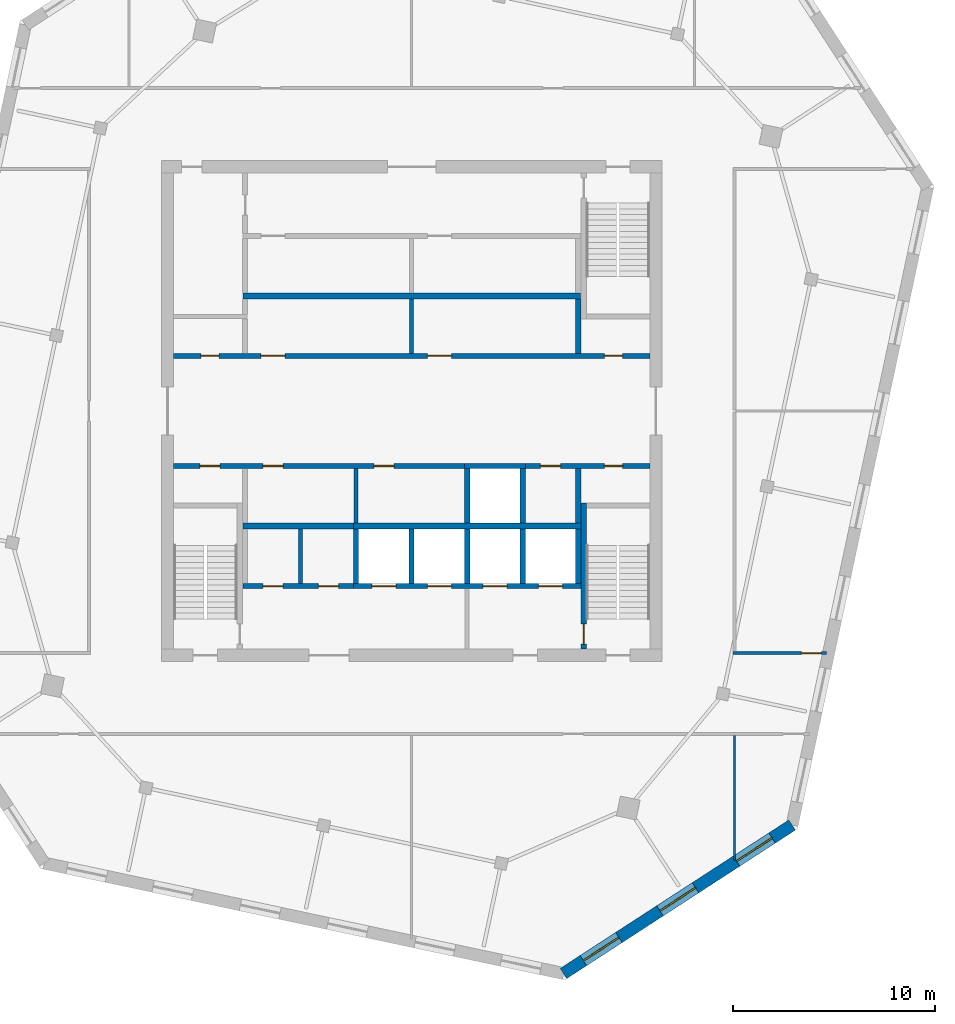
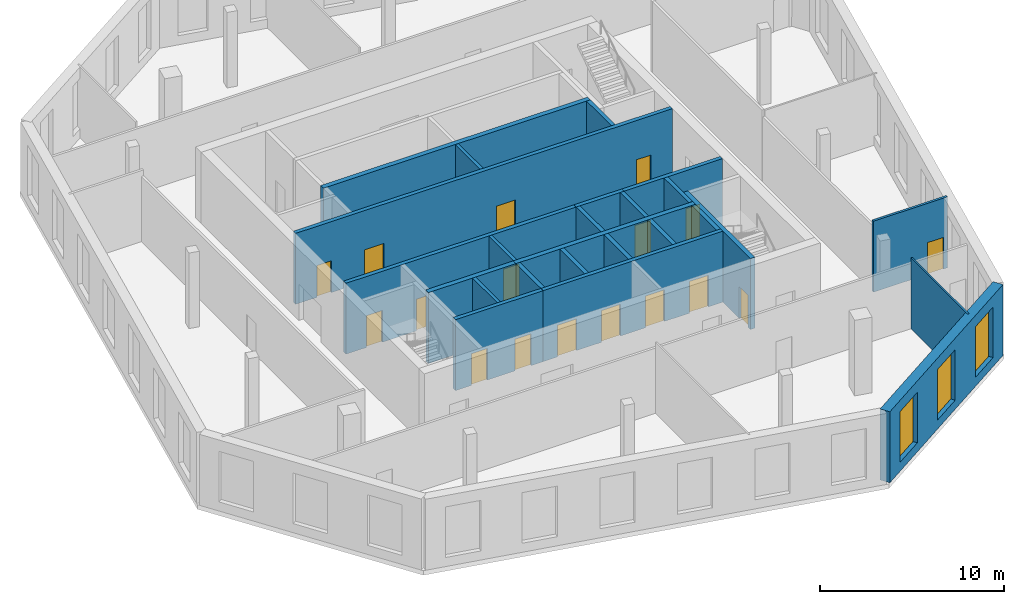
# One storey, part 3 of 6: 25 walls, 17 doors, 3 windows, 20 openings.
"""IFC4 building model written with IfcOpenShell, lengths in metres."""

from ifc_helpers import new_model, si_unit, direction, frame, frame_2d, origin, place, context, subcontext, project, spatial, rectangle, extrude, material, layer, layer_set, type_object, element, fill, save


model = new_model("IFC4")

# Units and contexts
model_context = context("Model", 3, precision=1e-05, world=origin(), true_north=direction((0.0, 1.0)))
body_context = subcontext(model_context, "Body", "Model", "MODEL_VIEW")
ifc_project = project(units=[si_unit("LENGTHUNIT", "METRE"), si_unit("AREAUNIT", "SQUARE_METRE"), si_unit("VOLUMEUNIT", "CUBIC_METRE"), si_unit("PLANEANGLEUNIT", "RADIAN"), si_unit("MASSUNIT", "GRAM", prefix="KILO")], contexts=[model_context])

# Site, building, storey
site_placement = place(None, origin())
site = spatial("IfcSite", under=ifc_project, at=site_placement, CompositionType="ELEMENT")
building_placement = place(site_placement, origin())
building = spatial("IfcBuilding", under=site, at=building_placement, Name="Dilmun Exchange Tower", CompositionType="ELEMENT")
storey_placement = place(building_placement, frame((0.0, 0.0, 358.10009765625)))
storey = spatial("IfcBuildingStorey", under=building, at=storey_placement, Name="Crown L84", CompositionType="ELEMENT", Elevation=358.10009765625)

# Walls
ifc_material_1 = material(Name="Concrete C40/50", Category="concrete")
ifc_layer_1 = layer(ifc_material_1, 0.199951171875)
ifc_layer_set_1 = layer_set([ifc_layer_1], Name="Concrete C40/50")
wall_type_1 = type_object("IfcWallType", Name="Core partition wall 200", PredefinedType="PARTITIONING", material=ifc_layer_set_1)
for number, where, z_axis, x_axis, name in (
    (1, (-5.5, -8.544921875, 0.0), (0.0, 0.0, 1.0), (0.0, 1.0, 0.0), "Crown L84 core partition wall 04"),
    (2, (-2.75, -5.544921875, 0.0), (0.0, 0.0, 1.0), (0.0, 1.0, 0.0), "Crown L84 core partition wall 07"),
    (3, (0.0, 2.85498046875, 0.0), (0.0, 0.0, 1.0), (0.0, 1.0, 0.0), "Crown L84 core partition wall 13"),
):
    element("IfcWall", number, at=place(storey_placement, frame(where, z_axis=z_axis, x_axis=x_axis)), inside=storey, type_object=wall_type_1, Name=name, PredefinedType="PARTITIONING", context=body_context, shape_type="SweptSolid", body=[
        extrude(rectangle(XDim=2.68994140625, YDim=0.199951171875, at=frame_2d((1.344970703125, 0.0))), origin(), (0.0, 0.0, 1.0), 4.699951171875),
    ])

# Wall, openings, doors
ifc_layer_2 = layer(ifc_material_1, 0.25)
ifc_layer_set_2 = layer_set([ifc_layer_2], Name="Concrete C40/50")
wall_type_2 = type_object("IfcWallType", Name="Core partition wall 250", PredefinedType="PARTITIONING", material=ifc_layer_set_2)
wall_1_placement = place(storey_placement, frame((-8.3701171875, -8.675048828125, 0.0), z_axis=(0.0, 0.0, 1.0), x_axis=(1.0, 0.0, 0.0)))
wall_1 = element("IfcWall", 4, at=wall_1_placement, inside=storey, type_object=wall_type_2, Name="Crown L84 core partition wall 02", PredefinedType="PARTITIONING", context=body_context, shape_type="SweptSolid", body=[
    extrude(rectangle(XDim=5.490234375, YDim=0.25, at=frame_2d((2.7451171875, 0.0))), origin(), (0.0, 0.0, 1.0), 4.699951171875),
])
opening_1_placement = place(wall_1_placement, frame((0.9951171875, 0.0, 0.0)))
opening_1 = element("IfcOpeningElement", 5, at=opening_1_placement, cuts=wall_1, Name="Opening CD4", PredefinedType="OPENING", context=body_context, shape_type="SweptSolid", body=[
    extrude(rectangle(XDim=1.0, YDim=2.10009765625, at=frame_2d((0.5, 1.050048828125))), frame((0.0, 0.135009765625, 0.0), z_axis=(0.0, -1.0, 0.0), x_axis=(1.0, 0.0, 0.0)), (0.0, 0.0, 1.0), 0.27001953125),
])
opening_2_placement = place(wall_1_placement, frame((3.7451171875, 0.0, 0.0)))
opening_2 = element("IfcOpeningElement", 6, at=opening_2_placement, cuts=wall_1, Name="Opening CD4", PredefinedType="OPENING", context=body_context, shape_type="SweptSolid", body=[
    extrude(rectangle(XDim=1.0, YDim=2.10009765625, at=frame_2d((0.5, 1.050048828125))), frame((0.0, 0.135009765625, 0.0), z_axis=(0.0, -1.0, 0.0), x_axis=(1.0, 0.0, 0.0)), (0.0, 0.0, 1.0), 0.27001953125),
])
ifc_material_2 = material(Name="Fire-rated steel door set", Category="steel")
door_type_1 = type_object("IfcDoorType", Name="Core room door 1000x2100", OperationType="SINGLE_SWING_LEFT", PredefinedType="DOOR", material=ifc_material_2)
door_1_placement = place(opening_1_placement, origin())
door_1 = element("IfcDoor", 7, at=door_1_placement, inside=storey, type_object=door_type_1, Name="Crown L84 door Male WC", OperationType="SINGLE_SWING_LEFT", OverallHeight=2.10009765625, OverallWidth=1.0, PredefinedType="DOOR", context=body_context, shape_type="SweptSolid", body=[
    extrude(rectangle(XDim=1.0, YDim=2.10009765625, at=frame_2d((0.5, 1.050048828125))), frame((0.0, 0.02490234375, 0.0), z_axis=(0.0, -1.0, 0.0), x_axis=(1.0, 0.0, 0.0)), (0.0, 0.0, 1.0), 0.050048828125),
])
fill(opening_1, door_1)
door_2_placement = place(opening_2_placement, origin())
door_2 = element("IfcDoor", 8, at=door_2_placement, inside=storey, type_object=door_type_1, Name="Crown L84 door Female WC", OperationType="SINGLE_SWING_LEFT", OverallHeight=2.10009765625, OverallWidth=1.0, PredefinedType="DOOR", context=body_context, shape_type="SweptSolid", body=[
    extrude(rectangle(XDim=1.0, YDim=2.10009765625, at=frame_2d((0.5, 1.050048828125))), frame((0.0, 0.02490234375, 0.0), z_axis=(0.0, -1.0, 0.0), x_axis=(1.0, 0.0, 0.0)), (0.0, 0.0, 1.0), 0.050048828125),
])
fill(opening_2, door_2)

# Wall
wall_2_placement = place(storey_placement, frame((8.25, -5.544921875, 0.0), z_axis=(0.0, 0.0, 1.0), x_axis=(0.0, 1.0, 0.0)))
element("IfcWall", 9, at=wall_2_placement, inside=storey, type_object=wall_type_2, Name="Crown L84 core partition wall 08", PredefinedType="PARTITIONING", context=body_context, shape_type="SweptSolid", body=[
    extrude(rectangle(XDim=2.68994140625, YDim=0.25, at=frame_2d((1.344970703125, 0.0))), origin(), (0.0, 0.0, 1.0), 4.699951171875),
])

# Wall, openings, doors
wall_3_placement = place(storey_placement, frame((-11.794921875, -2.72509765625, 0.0), z_axis=(0.0, 0.0, 1.0), x_axis=(1.0, 0.0, 0.0)))
wall_3 = element("IfcWall", 10, at=wall_3_placement, inside=storey, type_object=wall_type_2, Name="Crown L84 core partition wall 09", PredefinedType="PARTITIONING", context=body_context, shape_type="SweptSolid", body=[
    extrude(rectangle(XDim=14.4150390625, YDim=0.25, at=frame_2d((7.20751953125, 0.0))), origin(), (0.0, 0.0, 1.0), 4.699951171875),
])
opening_3_placement = place(wall_3_placement, frame((1.294921875, 0.0, 0.0)))
opening_3 = element("IfcOpeningElement", 11, at=opening_3_placement, cuts=wall_3, Name="Opening CD4", PredefinedType="OPENING", context=body_context, shape_type="SweptSolid", body=[
    extrude(rectangle(XDim=1.0, YDim=2.10009765625, at=frame_2d((0.5, 1.050048828125))), frame((0.0, 0.135009765625, 0.0), z_axis=(0.0, -1.0, 0.0), x_axis=(1.0, 0.0, 0.0)), (0.0, 0.0, 1.0), 0.27001953125),
])
opening_4_placement = place(wall_3_placement, frame((4.419921875, 0.0, 0.0)))
opening_4 = element("IfcOpeningElement", 12, at=opening_4_placement, cuts=wall_3, Name="Opening CD4", PredefinedType="OPENING", context=body_context, shape_type="SweptSolid", body=[
    extrude(rectangle(XDim=1.0, YDim=2.10009765625, at=frame_2d((0.5, 1.050048828125))), frame((0.0, 0.135009765625, 0.0), z_axis=(0.0, -1.0, 0.0), x_axis=(1.0, 0.0, 0.0)), (0.0, 0.0, 1.0), 0.27001953125),
])
opening_5_placement = place(wall_3_placement, frame((9.919921875, 0.0, 0.0)))
opening_5 = element("IfcOpeningElement", 13, at=opening_5_placement, cuts=wall_3, Name="Opening CD4", PredefinedType="OPENING", context=body_context, shape_type="SweptSolid", body=[
    extrude(rectangle(XDim=1.0, YDim=2.10009765625, at=frame_2d((0.5, 1.050048828125))), frame((0.0, 0.135009765625, 0.0), z_axis=(0.0, -1.0, 0.0), x_axis=(1.0, 0.0, 0.0)), (0.0, 0.0, 1.0), 0.27001953125),
])
door_3_placement = place(opening_3_placement, origin())
door_3 = element("IfcDoor", 14, at=door_3_placement, inside=storey, type_object=door_type_1, Name="Crown L84 door Accessible WC", OperationType="SINGLE_SWING_LEFT", OverallHeight=2.10009765625, OverallWidth=1.0, PredefinedType="DOOR", context=body_context, shape_type="SweptSolid", body=[
    extrude(rectangle(XDim=1.0, YDim=2.10009765625, at=frame_2d((0.5, 1.050048828125))), frame((0.0, 0.02490234375, 0.0), z_axis=(0.0, -1.0, 0.0), x_axis=(1.0, 0.0, 0.0)), (0.0, 0.0, 1.0), 0.050048828125),
])
fill(opening_3, door_3)
door_4_placement = place(opening_4_placement, origin())
door_4 = element("IfcDoor", 15, at=door_4_placement, inside=storey, type_object=door_type_1, Name="Crown L84 door Switch room", OperationType="SINGLE_SWING_LEFT", OverallHeight=2.10009765625, OverallWidth=1.0, PredefinedType="DOOR", context=body_context, shape_type="SweptSolid", body=[
    extrude(rectangle(XDim=1.0, YDim=2.10009765625, at=frame_2d((0.5, 1.050048828125))), frame((0.0, 0.02490234375, 0.0), z_axis=(0.0, -1.0, 0.0), x_axis=(1.0, 0.0, 0.0)), (0.0, 0.0, 1.0), 0.050048828125),
])
fill(opening_4, door_4)
door_5_placement = place(opening_5_placement, origin())
door_5 = element("IfcDoor", 16, at=door_5_placement, inside=storey, type_object=door_type_1, Name="Crown L84 door Print and mail room", OperationType="SINGLE_SWING_LEFT", OverallHeight=2.10009765625, OverallWidth=1.0, PredefinedType="DOOR", context=body_context, shape_type="SweptSolid", body=[
    extrude(rectangle(XDim=1.0, YDim=2.10009765625, at=frame_2d((0.5, 1.050048828125))), frame((0.0, 0.02490234375, 0.0), z_axis=(0.0, -1.0, 0.0), x_axis=(1.0, 0.0, 0.0)), (0.0, 0.0, 1.0), 0.050048828125),
])
fill(opening_5, door_5)

wall_4_placement = place(storey_placement, frame((5.6298828125, -2.72509765625, 0.0), z_axis=(0.0, 0.0, 1.0), x_axis=(1.0, 0.0, 0.0)))
wall_4 = element("IfcWall", 17, at=wall_4_placement, inside=storey, type_object=wall_type_2, Name="Crown L84 core partition wall 10", PredefinedType="PARTITIONING", context=body_context, shape_type="SweptSolid", body=[
    extrude(rectangle(XDim=6.1650390625, YDim=0.25, at=frame_2d((3.08251953125, 0.0))), origin(), (0.0, 0.0, 1.0), 4.699951171875),
])
opening_6_placement = place(wall_4_placement, frame((0.7451171875, 0.0, 0.0)))
opening_6 = element("IfcOpeningElement", 18, at=opening_6_placement, cuts=wall_4, Name="Opening CD4", PredefinedType="OPENING", context=body_context, shape_type="SweptSolid", body=[
    extrude(rectangle(XDim=1.0, YDim=2.10009765625, at=frame_2d((0.5, 1.050048828125))), frame((0.0, 0.135009765625, 0.0), z_axis=(0.0, -1.0, 0.0), x_axis=(1.0, 0.0, 0.0)), (0.0, 0.0, 1.0), 0.27001953125),
])
opening_7_placement = place(wall_4_placement, frame((3.919921875, 0.0, 0.0)))
opening_7 = element("IfcOpeningElement", 19, at=opening_7_placement, cuts=wall_4, Name="Opening CD6", PredefinedType="OPENING", context=body_context, shape_type="SweptSolid", body=[
    extrude(rectangle(XDim=0.89990234375, YDim=2.10009765625, at=frame_2d((0.449951171875, 1.050048828125))), frame((0.0, 0.135009765625, 0.0), z_axis=(0.0, -1.0, 0.0), x_axis=(1.0, 0.0, 0.0)), (0.0, 0.0, 1.0), 0.27001953125),
])
door_6_placement = place(opening_6_placement, origin())
door_6 = element("IfcDoor", 20, at=door_6_placement, inside=storey, type_object=door_type_1, Name="Crown L84 door Cleaners' store", OperationType="SINGLE_SWING_LEFT", OverallHeight=2.10009765625, OverallWidth=1.0, PredefinedType="DOOR", context=body_context, shape_type="SweptSolid", body=[
    extrude(rectangle(XDim=1.0, YDim=2.10009765625, at=frame_2d((0.5, 1.050048828125))), frame((0.0, 0.02490234375, 0.0), z_axis=(0.0, -1.0, 0.0), x_axis=(1.0, 0.0, 0.0)), (0.0, 0.0, 1.0), 0.050048828125),
])
fill(opening_6, door_6)
door_type_2 = type_object("IfcDoorType", Name="Core room door 900x2100", OperationType="SINGLE_SWING_LEFT", PredefinedType="DOOR", material=ifc_material_2)
door_7_placement = place(opening_7_placement, origin())
door_7 = element("IfcDoor", 21, at=door_7_placement, inside=storey, type_object=door_type_2, Name="Crown L84 door Comms riser", OperationType="SINGLE_SWING_LEFT", OverallHeight=2.10009765625, OverallWidth=0.89990234375, PredefinedType="DOOR", context=body_context, shape_type="SweptSolid", body=[
    extrude(rectangle(XDim=0.89990234375, YDim=2.10009765625, at=frame_2d((0.449951171875, 1.050048828125))), frame((0.0, 0.02490234375, 0.0), z_axis=(0.0, -1.0, 0.0), x_axis=(1.0, 0.0, 0.0)), (0.0, 0.0, 1.0), 0.050048828125),
])
fill(opening_7, door_7)

wall_5_placement = place(storey_placement, frame((-11.794921875, 2.72509765625, 0.0), z_axis=(0.0, 0.0, 1.0), x_axis=(1.0, 0.0, 0.0)))
wall_5 = element("IfcWall", 22, at=wall_5_placement, inside=storey, type_object=wall_type_2, Name="Crown L84 core partition wall 11", PredefinedType="PARTITIONING", context=body_context, shape_type="SweptSolid", body=[
    extrude(rectangle(XDim=23.58984375, YDim=0.25, at=frame_2d((11.794921875, 0.0))), origin(), (0.0, 0.0, 1.0), 4.699951171875),
])
opening_8_placement = place(wall_5_placement, frame((21.344970703125, 0.0, 0.0)))
opening_8 = element("IfcOpeningElement", 23, at=opening_8_placement, cuts=wall_5, Name="Opening CD6", PredefinedType="OPENING", context=body_context, shape_type="SweptSolid", body=[
    extrude(rectangle(XDim=0.89990234375, YDim=2.10009765625, at=frame_2d((0.449951171875, 1.050048828125))), frame((0.0, 0.135009765625, 0.0), z_axis=(0.0, -1.0, 0.0), x_axis=(1.0, 0.0, 0.0)), (0.0, 0.0, 1.0), 0.27001953125),
])
opening_9_placement = place(wall_5_placement, frame((1.344970703125, 0.0, 0.0)))
opening_9 = element("IfcOpeningElement", 24, at=opening_9_placement, cuts=wall_5, Name="Opening CD6", PredefinedType="OPENING", context=body_context, shape_type="SweptSolid", body=[
    extrude(rectangle(XDim=0.89990234375, YDim=2.10009765625, at=frame_2d((0.449951171875, 1.050048828125))), frame((0.0, 0.135009765625, 0.0), z_axis=(0.0, -1.0, 0.0), x_axis=(1.0, 0.0, 0.0)), (0.0, 0.0, 1.0), 0.27001953125),
])
opening_10_placement = place(wall_5_placement, frame((4.320068359375, 0.0, 0.0)))
opening_10 = element("IfcOpeningElement", 25, at=opening_10_placement, cuts=wall_5, Name="Opening CD3", PredefinedType="OPENING", context=body_context, shape_type="SweptSolid", body=[
    extrude(rectangle(XDim=1.199951171875, YDim=2.10009765625, at=frame_2d((0.60009765625, 1.050048828125))), frame((0.0, 0.135009765625, 0.0), z_axis=(0.0, -1.0, 0.0), x_axis=(1.0, 0.0, 0.0)), (0.0, 0.0, 1.0), 0.27001953125),
])
opening_11_placement = place(wall_5_placement, frame((12.570068359375, 0.0, 0.0)))
opening_11 = element("IfcOpeningElement", 26, at=opening_11_placement, cuts=wall_5, Name="Opening CD3", PredefinedType="OPENING", context=body_context, shape_type="SweptSolid", body=[
    extrude(rectangle(XDim=1.199951171875, YDim=2.10009765625, at=frame_2d((0.60009765625, 1.050048828125))), frame((0.0, 0.135009765625, 0.0), z_axis=(0.0, -1.0, 0.0), x_axis=(1.0, 0.0, 0.0)), (0.0, 0.0, 1.0), 0.27001953125),
])
door_8_placement = place(opening_8_placement, origin())
door_8 = element("IfcDoor", 27, at=door_8_placement, inside=storey, type_object=door_type_2, Name="Crown L84 door Electrical riser", OperationType="SINGLE_SWING_LEFT", OverallHeight=2.10009765625, OverallWidth=0.89990234375, PredefinedType="DOOR", context=body_context, shape_type="SweptSolid", body=[
    extrude(rectangle(XDim=0.89990234375, YDim=2.10009765625, at=frame_2d((0.449951171875, 1.050048828125))), frame((0.0, 0.02490234375, 0.0), z_axis=(0.0, -1.0, 0.0), x_axis=(1.0, 0.0, 0.0)), (0.0, 0.0, 1.0), 0.050048828125),
])
fill(opening_8, door_8)
door_9_placement = place(opening_9_placement, origin())
door_9 = element("IfcDoor", 28, at=door_9_placement, inside=storey, type_object=door_type_2, Name="Crown L84 door Plumbing riser", OperationType="SINGLE_SWING_LEFT", OverallHeight=2.10009765625, OverallWidth=0.89990234375, PredefinedType="DOOR", context=body_context, shape_type="SweptSolid", body=[
    extrude(rectangle(XDim=0.89990234375, YDim=2.10009765625, at=frame_2d((0.449951171875, 1.050048828125))), frame((0.0, 0.02490234375, 0.0), z_axis=(0.0, -1.0, 0.0), x_axis=(1.0, 0.0, 0.0)), (0.0, 0.0, 1.0), 0.050048828125),
])
fill(opening_9, door_9)
door_type_3 = type_object("IfcDoorType", Name="Stair exit door 1200x2100", OperationType="SINGLE_SWING_LEFT", PredefinedType="DOOR", material=ifc_material_2)
door_10_placement = place(opening_10_placement, origin())
door_10 = element("IfcDoor", 29, at=door_10_placement, inside=storey, type_object=door_type_3, Name="Crown L84 door Tenant meeting suite", OperationType="SINGLE_SWING_LEFT", OverallHeight=2.10009765625, OverallWidth=1.199951171875, PredefinedType="DOOR", context=body_context, shape_type="SweptSolid", body=[
    extrude(rectangle(XDim=1.199951171875, YDim=2.10009765625, at=frame_2d((0.60009765625, 1.050048828125))), frame((0.0, 0.02490234375, 0.0), z_axis=(0.0, -1.0, 0.0), x_axis=(1.0, 0.0, 0.0)), (0.0, 0.0, 1.0), 0.050048828125),
])
fill(opening_10, door_10)
door_11_placement = place(opening_11_placement, origin())
door_11 = element("IfcDoor", 30, at=door_11_placement, inside=storey, type_object=door_type_3, Name="Crown L84 door Tenant amenity store", OperationType="SINGLE_SWING_LEFT", OverallHeight=2.10009765625, OverallWidth=1.199951171875, PredefinedType="DOOR", context=body_context, shape_type="SweptSolid", body=[
    extrude(rectangle(XDim=1.199951171875, YDim=2.10009765625, at=frame_2d((0.60009765625, 1.050048828125))), frame((0.0, 0.02490234375, 0.0), z_axis=(0.0, -1.0, 0.0), x_axis=(1.0, 0.0, 0.0)), (0.0, 0.0, 1.0), 0.050048828125),
])
fill(opening_11, door_11)

# Walls
wall_6_placement = place(storey_placement, frame((8.25, 2.85498046875, 0.0), z_axis=(0.0, 0.0, 1.0), x_axis=(0.0, 1.0, 0.0)))
element("IfcWall", 31, at=wall_6_placement, inside=storey, type_object=wall_type_2, Name="Crown L84 core partition wall 14", PredefinedType="PARTITIONING", context=body_context, shape_type="SweptSolid", body=[
    extrude(rectangle(XDim=2.68994140625, YDim=0.25, at=frame_2d((1.344970703125, 0.0))), origin(), (0.0, 0.0, 1.0), 4.699951171875),
])
ifc_layer_3 = layer(ifc_material_1, 0.300048828125)
ifc_layer_set_3 = layer_set([ifc_layer_3], Name="Concrete C40/50")
wall_type_3 = type_object("IfcWallType", Name="Core partition wall 300", PredefinedType="PARTITIONING", material=ifc_layer_set_3)
wall_7_placement = place(storey_placement, frame((-8.35009765625, -5.699951171875, 0.0), z_axis=(0.0, 0.0, 1.0), x_axis=(1.0, 0.0, 0.0)))
element("IfcWall", 32, at=wall_7_placement, inside=storey, type_object=wall_type_3, Name="Crown L84 core partition wall 05", PredefinedType="PARTITIONING", context=body_context, shape_type="SweptSolid", body=[
    extrude(rectangle(XDim=5.47021484375, YDim=0.300048828125, at=frame_2d((2.735107421875, 0.0))), origin(), (0.0, 0.0, 1.0), 4.699951171875),
])
wall_8_placement = place(storey_placement, frame((-8.35009765625, 5.699951171875, 0.0), z_axis=(0.0, 0.0, 1.0), x_axis=(1.0, 0.0, 0.0)))
element("IfcWall", 33, at=wall_8_placement, inside=storey, type_object=wall_type_3, Name="Crown L84 core partition wall 17", PredefinedType="PARTITIONING", context=body_context, shape_type="SweptSolid", body=[
    extrude(rectangle(XDim=16.7001953125, YDim=0.300048828125, at=frame_2d((8.35009765625, 0.0))), origin(), (0.0, 0.0, 1.0), 4.699951171875),
])

# Wall, opening, door
ifc_material_3 = material(Name="Fire partition EI 60 150 gypsum")
ifc_layer_4 = layer(ifc_material_3, 0.14990234375)
ifc_layer_set_4 = layer_set([ifc_layer_4], Name="Fire partition EI 60 150 gypsum")
wall_type_4 = type_object("IfcWallType", Name="Fire partition EI 60 150 gypsum", PredefinedType="PARTITIONING", material=ifc_layer_set_4)
wall_9_placement = place(storey_placement, frame((15.925048828125, -12.0, 0.0), z_axis=(0.0, 0.0, 1.0), x_axis=(1.0, 0.0, 0.0)))
wall_9 = element("IfcWall", 34, at=wall_9_placement, inside=storey, type_object=wall_type_4, Name="Crown L84 partition", PredefinedType="PARTITIONING", context=body_context, shape_type="SweptSolid", body=[
    extrude(rectangle(XDim=4.629150390625, YDim=0.14990234375, at=frame_2d((2.314453125, 0.0))), origin(), (0.0, 0.0, 1.0), 4.699951171875),
])
opening_12_placement = place(wall_9_placement, frame((3.375, 0.0, 0.0)))
opening_12 = element("IfcOpeningElement", 35, at=opening_12_placement, cuts=wall_9, Name="Opening CrownL84-D009", PredefinedType="OPENING", context=body_context, shape_type="SweptSolid", body=[
    extrude(rectangle(XDim=1.0, YDim=2.10009765625, at=frame_2d((0.5, 1.050048828125))), frame((0.0, 0.0849609375, 0.0), z_axis=(0.0, -1.0, 0.0), x_axis=(1.0, 0.0, 0.0)), (0.0, 0.0, 1.0), 0.169921875),
])
ifc_material_4 = material(Name="Fire door FD60 1000 x 2100")
door_type_4 = type_object("IfcDoorType", Name="Fire door FD60 1000 x 2100", OperationType="SINGLE_SWING_LEFT", PredefinedType="DOOR", material=ifc_material_4)
door_12_placement = place(opening_12_placement, origin())
door_12 = element("IfcDoor", 36, at=door_12_placement, inside=storey, type_object=door_type_4, Name="Crown L84 door CrownL84-D009", OperationType="SINGLE_SWING_LEFT", OverallHeight=2.10009765625, OverallWidth=1.0, PredefinedType="DOOR", context=body_context, shape_type="SweptSolid", body=[
    extrude(rectangle(XDim=1.0, YDim=2.10009765625, at=frame_2d((0.5, 1.050048828125))), frame((0.0, 0.02490234375, 0.0), z_axis=(0.0, -1.0, 0.0), x_axis=(1.0, 0.0, 0.0)), (0.0, 0.0, 1.0), 0.050048828125),
])
fill(opening_12, door_12)

# Walls
ifc_layer_5 = layer(ifc_material_1, 0.300048828125)
ifc_layer_set_5 = layer_set([ifc_layer_5], Name="Concrete C40/50")
wall_type_5 = type_object("IfcWallType", Name="Lift shaft shared wall 300", PredefinedType="SOLIDWALL", material=ifc_layer_set_5)
wall_10_placement = place(storey_placement, frame((-2.875, -5.699951171875, 0.0), z_axis=(0.0, 0.0, 1.0), x_axis=(1.0, 0.0, 0.0)))
element("IfcWall", 37, at=wall_10_placement, inside=storey, type_object=wall_type_5, Name="Crown L84 lift shaft rear wall S", PredefinedType="SOLIDWALL", context=body_context, shape_type="SweptSolid", body=[
    extrude(rectangle(XDim=11.25, YDim=0.300048828125, at=frame_2d((5.625, 0.0))), origin(), (0.0, 0.0, 1.0), 4.699951171875),
])
ifc_layer_6 = layer(ifc_material_1, 0.25)
ifc_layer_set_6 = layer_set([ifc_layer_6], Name="Concrete C40/50")
wall_type_6 = type_object("IfcWallType", Name="Lift shaft wall 250", PredefinedType="SOLIDWALL", material=ifc_layer_set_6)
wall_11_placement = place(storey_placement, frame((2.625, -2.72509765625, 0.0), z_axis=(0.0, 0.0, 1.0), x_axis=(1.0, 0.0, 0.0)))
element("IfcWall", 38, at=wall_11_placement, inside=storey, type_object=wall_type_6, Name="Crown L84 lift shaft front wall S1", PredefinedType="SOLIDWALL", context=body_context, shape_type="SweptSolid", body=[
    extrude(rectangle(XDim=3.0, YDim=0.25, at=frame_2d((1.5, 0.0))), origin(), (0.0, 0.0, 1.0), 4.699951171875),
])
for number, where, z_axis, x_axis, name in (
    (39, (2.75, -5.550048828125, 0.0), (0.0, 0.0, 1.0), (0.0, 1.0, 0.0), "Crown L84 lift shaft divider S14"),
    (40, (5.5, -5.550048828125, 0.0), (0.0, 0.0, 1.0), (0.0, 1.0, 0.0), "Crown L84 lift shaft divider S15"),
):
    element("IfcWall", number, at=place(storey_placement, frame(where, z_axis=z_axis, x_axis=x_axis)), inside=storey, type_object=wall_type_6, Name=name, PredefinedType="SOLIDWALL", context=body_context, shape_type="SweptSolid", body=[
        extrude(rectangle(XDim=2.699951171875, YDim=0.25, at=frame_2d((1.35009765625, 0.0))), origin(), (0.0, 0.0, 1.0), 4.699951171875),
    ])

# Wall, openings, doors
wall_12_placement = place(storey_placement, frame((-2.875, -8.675048828125, 0.0), z_axis=(0.0, 0.0, 1.0), x_axis=(1.0, 0.0, 0.0)))
wall_12 = element("IfcWall", 41, at=wall_12_placement, inside=storey, type_object=wall_type_6, Name="Crown L84 lift shaft front wall S2", PredefinedType="SOLIDWALL", context=body_context, shape_type="SweptSolid", body=[
    extrude(rectangle(XDim=11.25, YDim=0.25, at=frame_2d((5.625, 0.0))), origin(), (0.0, 0.0, 1.0), 4.699951171875),
])
opening_13_placement = place(wall_12_placement, frame((0.89990234375, 0.0, 0.0)))
opening_13 = element("IfcOpeningElement", 42, at=opening_13_placement, cuts=wall_12, Name="Opening LD", PredefinedType="OPENING", context=body_context, shape_type="SweptSolid", body=[
    extrude(rectangle(XDim=1.199951171875, YDim=2.10009765625, at=frame_2d((0.60009765625, 1.050048828125))), frame((0.0, 0.135009765625, 0.0), z_axis=(0.0, -1.0, 0.0), x_axis=(1.0, 0.0, 0.0)), (0.0, 0.0, 1.0), 0.27001953125),
])
opening_14_placement = place(wall_12_placement, frame((3.64990234375, 0.0, 0.0)))
opening_14 = element("IfcOpeningElement", 43, at=opening_14_placement, cuts=wall_12, Name="Opening LD", PredefinedType="OPENING", context=body_context, shape_type="SweptSolid", body=[
    extrude(rectangle(XDim=1.199951171875, YDim=2.10009765625, at=frame_2d((0.60009765625, 1.050048828125))), frame((0.0, 0.135009765625, 0.0), z_axis=(0.0, -1.0, 0.0), x_axis=(1.0, 0.0, 0.0)), (0.0, 0.0, 1.0), 0.27001953125),
])
opening_15_placement = place(wall_12_placement, frame((6.39990234375, 0.0, 0.0)))
opening_15 = element("IfcOpeningElement", 44, at=opening_15_placement, cuts=wall_12, Name="Opening LD", PredefinedType="OPENING", context=body_context, shape_type="SweptSolid", body=[
    extrude(rectangle(XDim=1.199951171875, YDim=2.10009765625, at=frame_2d((0.60009765625, 1.050048828125))), frame((0.0, 0.135009765625, 0.0), z_axis=(0.0, -1.0, 0.0), x_axis=(1.0, 0.0, 0.0)), (0.0, 0.0, 1.0), 0.27001953125),
])
opening_16_placement = place(wall_12_placement, frame((9.14990234375, 0.0, 0.0)))
opening_16 = element("IfcOpeningElement", 45, at=opening_16_placement, cuts=wall_12, Name="Opening LD", PredefinedType="OPENING", context=body_context, shape_type="SweptSolid", body=[
    extrude(rectangle(XDim=1.199951171875, YDim=2.10009765625, at=frame_2d((0.60009765625, 1.050048828125))), frame((0.0, 0.135009765625, 0.0), z_axis=(0.0, -1.0, 0.0), x_axis=(1.0, 0.0, 0.0)), (0.0, 0.0, 1.0), 0.27001953125),
])
door_type_5 = type_object("IfcDoorType", Name="Lift landing door 1200x2100", OperationType="DOUBLE_DOOR_SLIDING", PredefinedType="DOOR", material=ifc_material_2)
door_13_placement = place(opening_13_placement, origin())
door_13 = element("IfcDoor", 46, at=door_13_placement, inside=storey, type_object=door_type_5, Name="Crown L84 landing door SV1", OperationType="DOUBLE_DOOR_SLIDING", OverallHeight=2.10009765625, OverallWidth=1.199951171875, PredefinedType="DOOR", context=body_context, shape_type="SweptSolid", body=[
    extrude(rectangle(XDim=1.199951171875, YDim=2.10009765625, at=frame_2d((0.60009765625, 1.050048828125))), frame((0.0, 0.02490234375, 0.0), z_axis=(0.0, -1.0, 0.0), x_axis=(1.0, 0.0, 0.0)), (0.0, 0.0, 1.0), 0.050048828125),
])
fill(opening_13, door_13)
door_14_placement = place(opening_14_placement, origin())
door_14 = element("IfcDoor", 47, at=door_14_placement, inside=storey, type_object=door_type_5, Name="Crown L84 landing door SV2", OperationType="DOUBLE_DOOR_SLIDING", OverallHeight=2.10009765625, OverallWidth=1.199951171875, PredefinedType="DOOR", context=body_context, shape_type="SweptSolid", body=[
    extrude(rectangle(XDim=1.199951171875, YDim=2.10009765625, at=frame_2d((0.60009765625, 1.050048828125))), frame((0.0, 0.02490234375, 0.0), z_axis=(0.0, -1.0, 0.0), x_axis=(1.0, 0.0, 0.0)), (0.0, 0.0, 1.0), 0.050048828125),
])
fill(opening_14, door_14)
door_15_placement = place(opening_15_placement, origin())
door_15 = element("IfcDoor", 48, at=door_15_placement, inside=storey, type_object=door_type_5, Name="Crown L84 landing door FF1", OperationType="DOUBLE_DOOR_SLIDING", OverallHeight=2.10009765625, OverallWidth=1.199951171875, PredefinedType="DOOR", context=body_context, shape_type="SweptSolid", body=[
    extrude(rectangle(XDim=1.199951171875, YDim=2.10009765625, at=frame_2d((0.60009765625, 1.050048828125))), frame((0.0, 0.02490234375, 0.0), z_axis=(0.0, -1.0, 0.0), x_axis=(1.0, 0.0, 0.0)), (0.0, 0.0, 1.0), 0.050048828125),
])
fill(opening_15, door_15)
door_16_placement = place(opening_16_placement, origin())
door_16 = element("IfcDoor", 49, at=door_16_placement, inside=storey, type_object=door_type_5, Name="Crown L84 landing door FF2", OperationType="DOUBLE_DOOR_SLIDING", OverallHeight=2.10009765625, OverallWidth=1.199951171875, PredefinedType="DOOR", context=body_context, shape_type="SweptSolid", body=[
    extrude(rectangle(XDim=1.199951171875, YDim=2.10009765625, at=frame_2d((0.60009765625, 1.050048828125))), frame((0.0, 0.02490234375, 0.0), z_axis=(0.0, -1.0, 0.0), x_axis=(1.0, 0.0, 0.0)), (0.0, 0.0, 1.0), 0.050048828125),
])
fill(opening_16, door_16)

# Walls
for number, where, z_axis, x_axis, name in (
    (50, (-2.75, -8.550048828125, 0.0), (0.0, 0.0, 1.0), (0.0, 1.0, 0.0), "Crown L84 lift shaft divider S22"),
    (51, (0.0, -8.550048828125, 0.0), (0.0, 0.0, 1.0), (0.0, 1.0, 0.0), "Crown L84 lift shaft divider S23"),
    (52, (2.75, -8.550048828125, 0.0), (0.0, 0.0, 1.0), (0.0, 1.0, 0.0), "Crown L84 lift shaft divider S24"),
    (53, (5.5, -8.550048828125, 0.0), (0.0, 0.0, 1.0), (0.0, 1.0, 0.0), "Crown L84 lift shaft divider S25"),
    (54, (8.25, -8.550048828125, 0.0), (0.0, 0.0, 1.0), (0.0, 1.0, 0.0), "Crown L84 lift shaft divider S26"),
):
    element("IfcWall", number, at=place(storey_placement, frame(where, z_axis=z_axis, x_axis=x_axis)), inside=storey, type_object=wall_type_6, Name=name, PredefinedType="SOLIDWALL", context=body_context, shape_type="SweptSolid", body=[
        extrude(rectangle(XDim=2.699951171875, YDim=0.25, at=frame_2d((1.35009765625, 0.0))), origin(), (0.0, 0.0, 1.0), 4.699951171875),
    ])
ifc_material_5 = material(Name="Partition 100 gypsum")
ifc_layer_7 = layer(ifc_material_5, 0.10009765625)
ifc_layer_set_7 = layer_set([ifc_layer_7], Name="Partition 100 gypsum")
wall_type_7 = type_object("IfcWallType", Name="Partition 100 gypsum", PredefinedType="PARTITIONING", material=ifc_layer_set_7)
wall_13_placement = place(storey_placement, frame((16.0, -22.243896484375, 0.0), z_axis=(0.0, 0.0, 1.0), x_axis=(0.0, 1.0, 0.0)))
element("IfcWall", 55, at=wall_13_placement, inside=storey, type_object=wall_type_7, Name="Crown L84 partition", PredefinedType="PARTITIONING", context=body_context, shape_type="SweptSolid", body=[
    extrude(rectangle(XDim=6.1689453125, YDim=0.10009765625, at=frame_2d((3.08447265625, 0.0))), origin(), (0.0, 0.0, 1.0), 4.699951171875),
])

# Wall, openings, windows
ifc_material_6 = material(Name="Precast concrete C50/60", Category="concrete")
ifc_layer_8 = layer(ifc_material_6, 0.60009765625)
ifc_layer_set_8 = layer_set([ifc_layer_8], Name="Precast concrete C50/60")
wall_type_8 = type_object("IfcWallType", Name="Precast stone-clad wall 600", PredefinedType="STANDARD", material=ifc_layer_set_8)
wall_14_placement = place(storey_placement, frame((7.51708984375, -27.8720703125, 0.0), z_axis=(0.0, 0.0, 1.0), x_axis=(0.838665687332, 0.544646550427, 0.0)))
wall_14 = element("IfcWall", 56, at=wall_14_placement, inside=storey, type_object=wall_type_8, Name="Facade wall Crown L84-01", PredefinedType="STANDARD", context=body_context, shape_type="SweptSolid", body=[
    extrude(rectangle(XDim=13.509033203125, YDim=0.60009765625, at=frame_2d((6.75439453125, 0.0))), origin(), (0.0, 0.0, 1.0), 4.699951171875),
])
opening_17_placement = place(wall_14_placement, frame((1.180908203125, 0.0, 0.60009765625)))
opening_17 = element("IfcOpeningElement", 57, at=opening_17_placement, cuts=wall_14, Name="Opening LV210-335", PredefinedType="OPENING", context=body_context, shape_type="SweptSolid", body=[
    extrude(rectangle(XDim=2.10009765625, YDim=3.35009765625, at=frame_2d((1.050048828125, 1.675048828125))), frame((0.0, 0.31005859375, 0.0), z_axis=(0.0, -1.0, 0.0), x_axis=(1.0, 0.0, 0.0)), (0.0, 0.0, 1.0), 0.6201171875),
])
opening_18_placement = place(wall_14_placement, frame((5.704345703125, 0.0, 0.60009765625)))
opening_18 = element("IfcOpeningElement", 58, at=opening_18_placement, cuts=wall_14, Name="Opening LV210-335", PredefinedType="OPENING", context=body_context, shape_type="SweptSolid", body=[
    extrude(rectangle(XDim=2.10009765625, YDim=3.35009765625, at=frame_2d((1.050048828125, 1.675048828125))), frame((0.0, 0.31005859375, 0.0), z_axis=(0.0, -1.0, 0.0), x_axis=(1.0, 0.0, 0.0)), (0.0, 0.0, 1.0), 0.6201171875),
])
opening_19_placement = place(wall_14_placement, frame((10.22802734375, 0.0, 0.60009765625)))
opening_19 = element("IfcOpeningElement", 59, at=opening_19_placement, cuts=wall_14, Name="Opening LV210-335", PredefinedType="OPENING", context=body_context, shape_type="SweptSolid", body=[
    extrude(rectangle(XDim=2.10009765625, YDim=3.35009765625, at=frame_2d((1.050048828125, 1.675048828125))), frame((0.0, 0.31005859375, 0.0), z_axis=(0.0, -1.0, 0.0), x_axis=(1.0, 0.0, 0.0)), (0.0, 0.0, 1.0), 0.6201171875),
])
ifc_material_7 = material(Name="Anodised aluminium louvre blades with sand trap", Category="aluminium")
window_type = type_object("IfcWindowType", Name="Plant louvre 2100 x 3350", PartitioningType="SINGLE_PANEL", PredefinedType="USERDEFINED", material=ifc_material_7)
window_1_placement = place(opening_17_placement, origin())
window_1 = element("IfcWindow", 60, at=window_1_placement, inside=storey, type_object=window_type, Name="Plant louvre 2.1", ObjectType="LOUVRE", OverallHeight=3.35009765625, OverallWidth=2.10009765625, PartitioningType="SINGLE_PANEL", PredefinedType="USERDEFINED", context=body_context, shape_type="SweptSolid", body=[
    extrude(rectangle(XDim=2.10009765625, YDim=3.35009765625, at=frame_2d((1.050048828125, 1.675048828125))), frame((0.0, 0.030029296875, 0.0), z_axis=(0.0, -1.0, 0.0), x_axis=(1.0, 0.0, 0.0)), (0.0, 0.0, 1.0), 0.06005859375),
])
fill(opening_17, window_1)
window_2_placement = place(opening_18_placement, origin())
window_2 = element("IfcWindow", 61, at=window_2_placement, inside=storey, type_object=window_type, Name="Plant louvre 2.2", ObjectType="LOUVRE", OverallHeight=3.35009765625, OverallWidth=2.10009765625, PartitioningType="SINGLE_PANEL", PredefinedType="USERDEFINED", context=body_context, shape_type="SweptSolid", body=[
    extrude(rectangle(XDim=2.10009765625, YDim=3.35009765625, at=frame_2d((1.050048828125, 1.675048828125))), frame((0.0, 0.030029296875, 0.0), z_axis=(0.0, -1.0, 0.0), x_axis=(1.0, 0.0, 0.0)), (0.0, 0.0, 1.0), 0.06005859375),
])
fill(opening_18, window_2)
window_3_placement = place(opening_19_placement, origin())
window_3 = element("IfcWindow", 62, at=window_3_placement, inside=storey, type_object=window_type, Name="Plant louvre 2.3", ObjectType="LOUVRE", OverallHeight=3.35009765625, OverallWidth=2.10009765625, PartitioningType="SINGLE_PANEL", PredefinedType="USERDEFINED", context=body_context, shape_type="SweptSolid", body=[
    extrude(rectangle(XDim=2.10009765625, YDim=3.35009765625, at=frame_2d((1.050048828125, 1.675048828125))), frame((0.0, 0.030029296875, 0.0), z_axis=(0.0, -1.0, 0.0), x_axis=(1.0, 0.0, 0.0)), (0.0, 0.0, 1.0), 0.06005859375),
])
fill(opening_19, window_3)

# Wall, opening, door
ifc_layer_9 = layer(ifc_material_1, 0.27490234375)
ifc_layer_set_9 = layer_set([ifc_layer_9], Name="Concrete C40/50")
wall_type_9 = type_object("IfcWallType", Name="Stair wall 275", PredefinedType="SOLIDWALL", material=ifc_layer_set_9)
wall_15_placement = place(storey_placement, frame((8.512451171875, -4.550048828125, 0.0), z_axis=(0.0, 0.0, 1.0), x_axis=(0.0, -1.0, 0.0)))
wall_15 = element("IfcWall", 63, at=wall_15_placement, inside=storey, type_object=wall_type_9, Name="Crown L84 ST3 wall to lift block", PredefinedType="SOLIDWALL", context=body_context, shape_type="SweptSolid", body=[
    extrude(rectangle(XDim=7.25, YDim=0.27490234375, at=frame_2d((3.625, 0.0))), origin(), (0.0, 0.0, 1.0), 4.699951171875),
])
opening_20_placement = place(wall_15_placement, frame((6.0, 0.0, 0.0)))
opening_20 = element("IfcOpeningElement", 64, at=opening_20_placement, cuts=wall_15, Name="Opening CD4", PredefinedType="OPENING", context=body_context, shape_type="SweptSolid", body=[
    extrude(rectangle(XDim=1.0, YDim=2.10009765625, at=frame_2d((0.5, 1.050048828125))), frame((0.0, 0.1474609375, 0.0), z_axis=(0.0, -1.0, 0.0), x_axis=(1.0, 0.0, 0.0)), (0.0, 0.0, 1.0), 0.294921875),
])
door_17_placement = place(opening_20_placement, origin())
door_17 = element("IfcDoor", 65, at=door_17_placement, inside=storey, type_object=door_type_1, Name="Crown L84 door ST3 from lobby", OperationType="SINGLE_SWING_LEFT", OverallHeight=2.10009765625, OverallWidth=1.0, PredefinedType="DOOR", context=body_context, shape_type="SweptSolid", body=[
    extrude(rectangle(XDim=1.0, YDim=2.10009765625, at=frame_2d((0.5, 1.050048828125))), frame((0.0, 0.02490234375, 0.0), z_axis=(0.0, -1.0, 0.0), x_axis=(1.0, 0.0, 0.0)), (0.0, 0.0, 1.0), 0.050048828125),
])
fill(opening_20, door_17)

save(model, "model.ifc")
